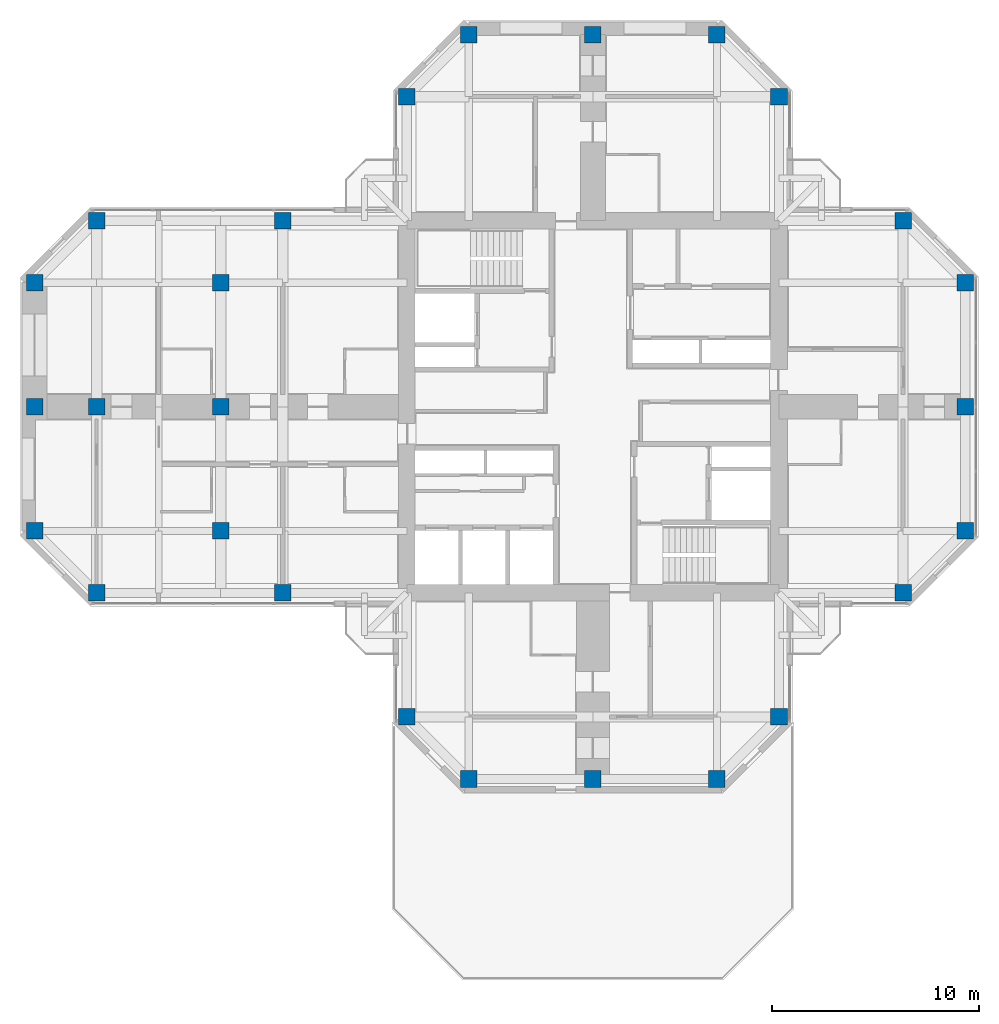
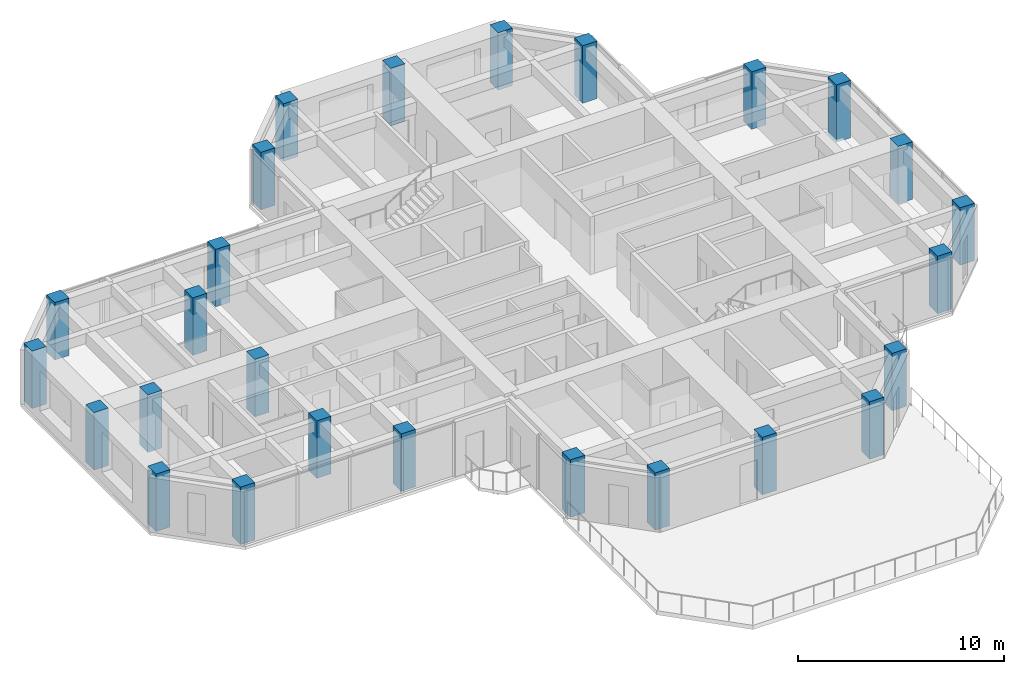
# One storey, part 1 of 14: 26 columns.
"""IFC4 building model written with IfcOpenShell, lengths in metres."""

from ifc_helpers import new_model, si_unit, direction, frame, origin, origin_2d, place, context, subcontext, project, spatial, rectangle, extrude, material, material_profile, profile_set, type_object, element, save


model = new_model("IFC4")

# Units and contexts
model_context = context("Model", 3, precision=1e-05, world=origin(), true_north=direction((0.0, 1.0)))
body_context = subcontext(model_context, "Body", "Model", "MODEL_VIEW")
ifc_project = project(units=[si_unit("LENGTHUNIT", "METRE"), si_unit("AREAUNIT", "SQUARE_METRE"), si_unit("VOLUMEUNIT", "CUBIC_METRE"), si_unit("PLANEANGLEUNIT", "RADIAN"), si_unit("MASSUNIT", "GRAM", prefix="KILO")], contexts=[model_context])

# Site, building, storey
site_placement = place(None, origin())
site = spatial("IfcSite", under=ifc_project, at=site_placement, CompositionType="ELEMENT")
building_placement = place(site_placement, origin())
building = spatial("IfcBuilding", under=site, at=building_placement, Name="Torre Cruceta", CompositionType="ELEMENT")
storey_placement = place(building_placement, frame((0.0, 0.0, 222.10009765625)))
storey = spatial("IfcBuildingStorey", under=building, at=storey_placement, Name="L56", CompositionType="ELEMENT", Elevation=222.10009765625)

# Columns
ifc_material = material(Name="Concrete G60 (fck 60 MPa)", Category="concrete")
ifc_material_profile = material_profile(ifc_material, rectangle(XDim=0.800048828125, YDim=0.800048828125, at=origin_2d()), Name="RC 800X800")
ifc_profile_set = profile_set([ifc_material_profile], Name="Concrete G60 (fck 60 MPa)")
column_type = type_object("IfcColumnType", Name="COLUMN RC 800X800", PredefinedType="COLUMN", material=ifc_profile_set)
for number, where, z_axis, x_axis, name in (
    (1, (9.0, 15.0, 0.0), (0.0, 0.0, 1.0), (1.0, 0.0, 0.0), "C7 L56 N chamfer"),
    (2, (-9.0, 15.0, 0.0), (0.0, 0.0, 1.0), (1.0, 0.0, 0.0), "C7 L56 N chamfer"),
    (3, (6.0, 18.0, 0.0), (0.0, 0.0, 1.0), (1.0, 0.0, 0.0), "C7 L56 N tip"),
    (4, (0.0, 18.0, 0.0), (0.0, 0.0, 1.0), (1.0, 0.0, 0.0), "C7 L56 N tip"),
    (5, (-6.0, 18.0, 0.0), (0.0, 0.0, 1.0), (1.0, 0.0, 0.0), "C7 L56 N tip"),
    (6, (15.0, -9.0, 0.0), (0.0, 0.0, 1.0), (1.0, 0.0, 0.0), "C7 L56 E chamfer"),
    (7, (15.0, 9.0, 0.0), (0.0, 0.0, 1.0), (1.0, 0.0, 0.0), "C7 L56 E chamfer"),
    (8, (18.0, -6.0, 0.0), (0.0, 0.0, 1.0), (1.0, 0.0, 0.0), "C7 L56 E tip"),
    (9, (18.0, 0.0, 0.0), (0.0, 0.0, 1.0), (1.0, 0.0, 0.0), "C7 L56 E tip"),
    (10, (18.0, 6.0, 0.0), (0.0, 0.0, 1.0), (1.0, 0.0, 0.0), "C7 L56 E tip"),
    (11, (-9.0, -15.0, 0.0), (0.0, 0.0, 1.0), (1.0, 0.0, 0.0), "C7 L56 S chamfer"),
    (12, (9.0, -15.0, 0.0), (0.0, 0.0, 1.0), (1.0, 0.0, 0.0), "C7 L56 S chamfer"),
    (13, (-6.0, -18.0, 0.0), (0.0, 0.0, 1.0), (1.0, 0.0, 0.0), "C7 L56 S tip"),
    (14, (0.0, -18.0, 0.0), (0.0, 0.0, 1.0), (1.0, 0.0, 0.0), "C7 L56 S tip"),
    (15, (6.0, -18.0, 0.0), (0.0, 0.0, 1.0), (1.0, 0.0, 0.0), "C7 L56 S tip"),
    (16, (-15.0, 9.0, 0.0), (0.0, 0.0, 1.0), (1.0, 0.0, 0.0), "C7 L56 W side"),
    (17, (-24.0, 9.0, 0.0), (0.0, 0.0, 1.0), (1.0, 0.0, 0.0), "C7 L56 W chamfer"),
    (18, (-15.0, -9.0, 0.0), (0.0, 0.0, 1.0), (1.0, 0.0, 0.0), "C7 L56 W side"),
    (19, (-24.0, -9.0, 0.0), (0.0, 0.0, 1.0), (1.0, 0.0, 0.0), "C7 L56 W chamfer"),
    (20, (-27.0, 6.0, 0.0), (0.0, 0.0, 1.0), (1.0, 0.0, 0.0), "C7 L56 W tip"),
    (21, (-27.0, 0.0, 0.0), (0.0, 0.0, 1.0), (1.0, 0.0, 0.0), "C7 L56 W tip"),
    (22, (-27.0, -6.0, 0.0), (0.0, 0.0, 1.0), (1.0, 0.0, 0.0), "C7 L56 W tip"),
    (23, (-18.0, 6.0, 0.0), (0.0, 0.0, 1.0), (1.0, 0.0, 0.0), "C7 L56 W interior"),
    (24, (-18.0, 0.0, 0.0), (0.0, 0.0, 1.0), (1.0, 0.0, 0.0), "C7 L56 W interior"),
    (25, (-18.0, -6.0, 0.0), (0.0, 0.0, 1.0), (1.0, 0.0, 0.0), "C7 L56 W interior"),
    (26, (-24.0, 0.0, 0.0), (0.0, 0.0, 1.0), (1.0, 0.0, 0.0), "C7 L56 W interior"),
):
    element("IfcColumn", number, at=place(storey_placement, frame(where, z_axis=z_axis, x_axis=x_axis)), inside=storey, type_object=column_type, Name=name, PredefinedType="COLUMN", context=body_context, shape_type="SweptSolid", body=[
        extrude(rectangle(XDim=0.800048828125, YDim=0.800048828125, at=origin_2d()), origin(), (0.0, 0.0, 1.0), 3.39990234375),
    ])

save(model, "model.ifc")
